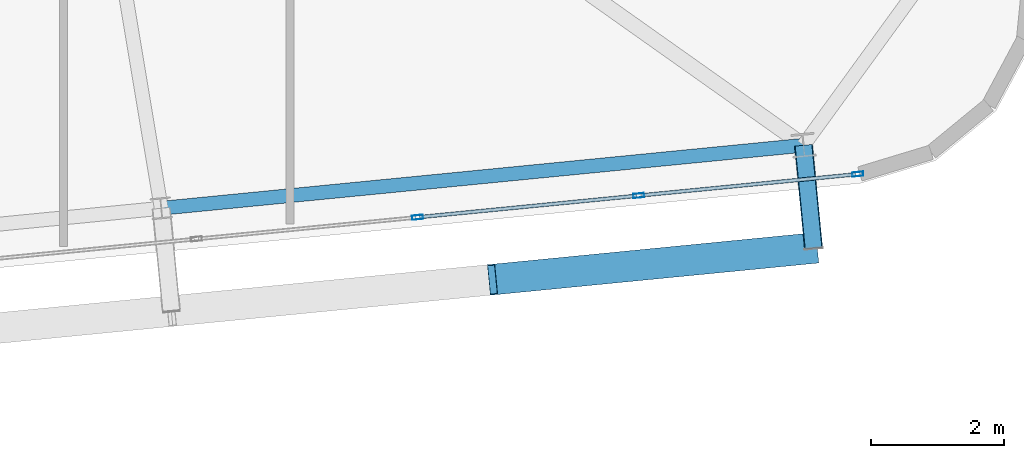
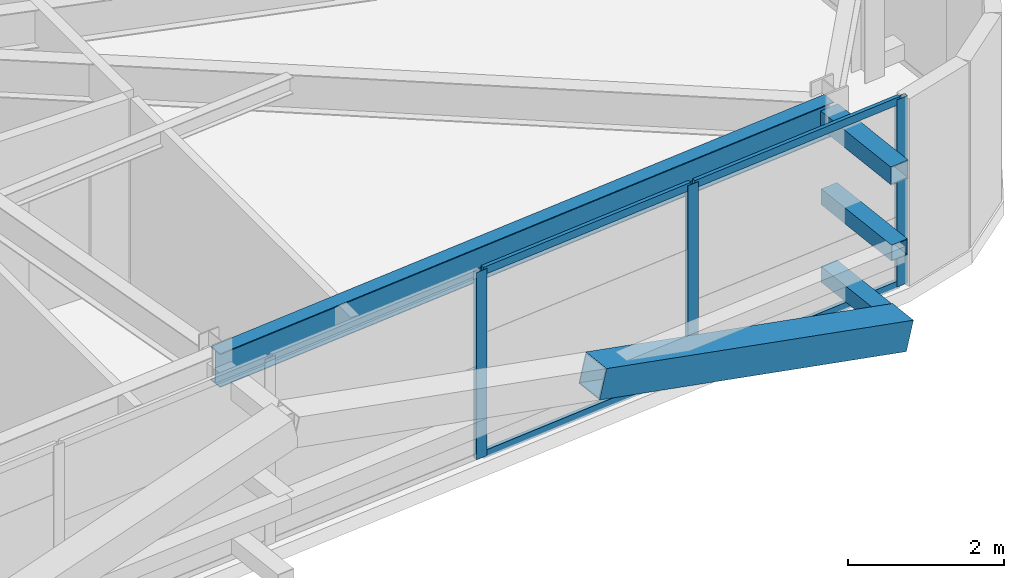
# One storey, part 20 of 52: 11 members, 1 beam, 1 element without a shape of its own.
"""IFC4 building model written with IfcOpenShell, lengths in metres."""

from ifc_helpers import new_model, si_unit, direction, frame, origin, origin_2d, place, context, subcontext, project, spatial, hollow_rectangle, i_section, extrude, source, transform, mapped, material, layer, layer_set, material_profile, profile_set, type_object, element, aggregate, save


model = new_model("IFC4")

# Units and contexts
model_context = context("Model", 3, precision=1e-05, world=origin(), true_north=direction((0.0, 1.0)))
body_context = subcontext(model_context, "Body", "Model", "MODEL_VIEW")
ifc_project = project(units=[si_unit("LENGTHUNIT", "METRE"), si_unit("AREAUNIT", "SQUARE_METRE"), si_unit("VOLUMEUNIT", "CUBIC_METRE"), si_unit("PLANEANGLEUNIT", "RADIAN"), si_unit("MASSUNIT", "GRAM", prefix="KILO")], contexts=[model_context])

# Site, building, storey
site_placement = place(None, origin())
site = spatial("IfcSite", under=ifc_project, at=site_placement, CompositionType="ELEMENT")
building_placement = place(site_placement, origin())
building = spatial("IfcBuilding", under=site, at=building_placement, Name="Taldren Reach Tower", CompositionType="ELEMENT")
storey_placement = place(building_placement, frame((0.0, 0.0, 96.60009765625)))
storey = spatial("IfcBuildingStorey", under=building, at=storey_placement, Name="L29", CompositionType="ELEMENT", Elevation=96.60009765625)

# Members
ifc_material_1 = material(Name="Steel Gr 450 (C450L0)", Category="steel")
ifc_material_profile_1 = material_profile(ifc_material_1, hollow_rectangle(XDim=0.27490234375, YDim=0.27490234375, WallThickness=0.00927734375, at=origin_2d()), Name="275x275x9.3SHS")
ifc_profile_set_1 = profile_set([ifc_material_profile_1], Name="Steel Gr 450 (C450L0)")
member_type_1 = type_object("IfcMemberType", Name="MB-TIE273", PredefinedType="STRUT", material=ifc_profile_set_1)
shared_shape_1 = source(origin(), body_context, "Body", "SweptSolid", [
    extrude(hollow_rectangle(XDim=0.27490234375, YDim=0.27490234375, WallThickness=0.00927734375, at=origin_2d()), origin(), (0.0, 0.0, 1.0), 1.5498046875),
])
member_1_placement = place(storey_placement, frame((63.103271484375, 4.64306640625, 2.64990234375), z_axis=(0.097507178627, -0.995234821595, 0.0), x_axis=(0.995234821595, 0.097507178627, 0.0)))
element("IfcMember", 1, at=member_1_placement, inside=storey, type_object=member_type_1, Name="Exoskeleton diaphragm tie strut B2-S6 L29", PredefinedType="STRUT", context=body_context, shape_type="MappedRepresentation", body=[
    mapped(shared_shape_1, transform((0.0, 0.0, 0.0), scale=1.0)),
])
ifc_material_2 = material(Name="Steel Gr 350 (C350L0)", Category="steel")
ifc_material_profile_2 = material_profile(ifc_material_2, hollow_rectangle(XDim=0.25, YDim=0.25, WallThickness=0.010009765625, at=origin_2d()), Name="250x250x10.0SHS")
ifc_profile_set_2 = profile_set([ifc_material_profile_2], Name="Steel Gr 350 (C350L0)")
member_type_2 = type_object("IfcMemberType", Name="MB-POST250", PredefinedType="POST", material=ifc_profile_set_2)
shared_shape_2 = source(origin(), body_context, "Body", "SweptSolid", [
    extrude(hollow_rectangle(XDim=0.25, YDim=0.25, WallThickness=0.010009765625, at=origin_2d()), origin(), (0.0, 0.0, 1.0), 1.5498046875),
])
for number, where, z_axis, x_axis, name in (
    (2, (63.103271484375, 4.64306640625, 0.219970703125), (0.097507178627, -0.995234821595, 0.0), (0.995234821595, 0.097507178627, 0.0), "Exoskeleton base diaphragm tie strut B2-S6 L29"),
    (3, (63.103271484375, 4.64306640625, 1.434814453125), (0.097507178627, -0.995234821595, 0.0), (0.995234821595, 0.097507178627, 0.0), "Exoskeleton mid-tier diaphragm tie B2-S6 L29"),
):
    element("IfcMember", number, at=place(storey_placement, frame(where, z_axis=z_axis, x_axis=x_axis)), inside=storey, type_object=member_type_2, Name=name, PredefinedType="POST", context=body_context, shape_type="MappedRepresentation", body=[
        mapped(shared_shape_2, transform((0.0, 0.0, 0.0), scale=1.0)),
    ])

# Beam
ifc_material_3 = material(Name="Steel Gr 350 (350PLUS)", Category="steel")
ifc_material_profile_3 = material_profile(ifc_material_3, i_section(OverallWidth=0.208984375, OverallDepth=0.528076171875, WebThickness=0.009521484375, FlangeThickness=0.01318359375, at=origin_2d()), Name="530UB82.0")
ifc_profile_set_3 = profile_set([ifc_material_profile_3], Name="Steel Gr 350 (350PLUS)")
beam_type = type_object("IfcBeamType", Name="SP-UB530B", PredefinedType="SPANDREL", material=ifc_profile_set_3)
shared_shape_3 = source(origin(), body_context, "Body", "SweptSolid", [
    extrude(i_section(OverallWidth=0.208984375, OverallDepth=0.528076171875, WebThickness=0.009521484375, FlangeThickness=0.01318359375, at=origin_2d()), origin(), (0.0, 0.0, 1.0), 9.679931640625),
])
beam_placement = place(storey_placement, frame((53.469482421875, 3.698486328125, 2.666015625), z_axis=(0.995227612658, 0.097580730699, 0.0), x_axis=(-0.097580730699, 0.995227612658, 0.0)))
element("IfcBeam", 4, at=beam_placement, inside=storey, type_object=beam_type, Name="Perimeter spandrel B2 S5-S6 L29", PredefinedType="SPANDREL", context=body_context, shape_type="MappedRepresentation", body=[
    mapped(shared_shape_3, transform((0.0, 0.0, 0.0), scale=1.0)),
])

# Member
ifc_material_profile_4 = material_profile(ifc_material_1, hollow_rectangle(XDim=0.4599609375, YDim=0.4599609375, WallThickness=0.01611328125, at=origin_2d()), Name="460x460x16.0SHS")
ifc_profile_set_4 = profile_set([ifc_material_profile_4], Name="Steel Gr 450 (C450L0)")
member_type_3 = type_object("IfcMemberType", Name="MB-EXO457", PredefinedType="BRACE", material=ifc_profile_set_4)
shared_shape_4 = source(origin(), body_context, "Body", "SweptSolid", [
    extrude(hollow_rectangle(XDim=0.4599609375, YDim=0.4599609375, WallThickness=0.01611328125, at=origin_2d()), origin(), (0.0, 0.0, 1.0), 4.990234375),
])
member_2_placement = place(storey_placement, frame((63.25439453125, 3.1005859375, 0.219970703125), z_axis=(-0.965282554799, -0.094669120301, 0.243448859234), x_axis=(0.097605711627, -0.995225162995, 0.0)))
element("IfcMember", 5, at=member_2_placement, inside=storey, type_object=member_type_3, Name="Exoskeleton Diagrid Brace B2-S5 L29", PredefinedType="BRACE", context=body_context, shape_type="MappedRepresentation", body=[
    mapped(shared_shape_4, transform((0.0, 0.0, 0.0), scale=1.0)),
])

# Curtain wall, members
ifc_material_4 = material(Name="Aluminium and Low-E Glass Unitised System", Category="aluminium")
ifc_layer = layer(ifc_material_4, 0.159912109375)
ifc_layer_set = layer_set([ifc_layer], Name="Aluminium and Low-E Glass Unitised System")
curtain_wall_type = type_object("IfcCurtainWallType", Name="CW-SYS-3", PredefinedType="NOTDEFINED", material=ifc_layer_set)
curtain_wall_placement = place(storey_placement, origin())
curtain_wall = element("IfcCurtainWall", 6, at=curtain_wall_placement, inside=storey, type_object=curtain_wall_type, Name="Unitised curtain wall CW-L29-S", PredefinedType="NOTDEFINED")
ifc_material_5 = material(Name="Anodised Aluminium 6063-T6", Category="aluminium")
ifc_material_profile_5 = material_profile(ifc_material_5, hollow_rectangle(XDim=0.06494140625, YDim=0.1650390625, WallThickness=0.00390625, at=origin_2d()), Name="ALU-165x65x4RHS")
ifc_profile_set_5 = profile_set([ifc_material_profile_5], Name="Anodised Aluminium 6063-T6")
member_type_4 = type_object("IfcMemberType", Name="CW-MUL-165", PredefinedType="MULLION", material=ifc_profile_set_5)
shared_shape_5 = source(origin(), body_context, "Body", "SweptSolid", [
    extrude(hollow_rectangle(XDim=0.06494140625, YDim=0.1650390625, WallThickness=0.00390625, at=origin_2d()), origin(), (0.0, 0.0, 1.0), 2.929931640625),
])
member_3_placement = place(storey_placement, frame((57.314208984375, 3.56298828125, 0.0), z_axis=(0.0, 0.0, 1.0), x_axis=(-0.097582999046, 0.995227390247, 0.0)))
member_3 = element("IfcMember", 7, at=member_3_placement, type_object=member_type_4, Name="CW-3 mullion 14", PredefinedType="MULLION", context=body_context, shape_type="MappedRepresentation", body=[
    mapped(shared_shape_5, transform((0.0, 0.0, 0.0), scale=1.0)),
])
member_4_placement = place(storey_placement, frame((60.631591796875, 3.888427734375, 0.0), z_axis=(0.0, 0.0, 1.0), x_axis=(-0.097582999046, 0.995227390247, 0.0)))
member_4 = element("IfcMember", 8, at=member_4_placement, type_object=member_type_4, Name="CW-3 mullion 15", PredefinedType="MULLION", context=body_context, shape_type="MappedRepresentation", body=[
    mapped(shared_shape_5, transform((0.0, 0.0, 0.0), scale=1.0)),
])
member_5_placement = place(storey_placement, frame((63.916748046875, 4.21044921875, 0.0), z_axis=(0.0, 0.0, 1.0), x_axis=(-0.097582999046, 0.995227390247, 0.0)))
member_5 = element("IfcMember", 9, at=member_5_placement, type_object=member_type_4, Name="CW-3 mullion 16", PredefinedType="MULLION", context=body_context, shape_type="MappedRepresentation", body=[
    mapped(shared_shape_5, transform((0.0, 0.0, 0.0), scale=1.0)),
])
ifc_material_profile_6 = material_profile(ifc_material_5, hollow_rectangle(XDim=0.054931640625, YDim=0.1201171875, WallThickness=0.0029296875, at=origin_2d()), Name="ALU-120x55x3RHS")
ifc_profile_set_6 = profile_set([ifc_material_profile_6], Name="Anodised Aluminium 6063-T6")
member_type_5 = type_object("IfcMemberType", Name="CW-TRN-135", PredefinedType="USERDEFINED", material=ifc_profile_set_6)
shared_shape_6 = source(origin(), body_context, "Body", "SweptSolid", [
    extrude(hollow_rectangle(XDim=0.054931640625, YDim=0.1201171875, WallThickness=0.0029296875, at=origin_2d()), origin(), (0.0, 0.0, 1.0), 3.23583984375),
])
member_6_placement = place(storey_placement, frame((60.6640625, 3.8916015625, 0.02734375), z_axis=(0.995230248826, 0.097553840629, 0.0), x_axis=(-0.097553840629, 0.995230248826, 0.0)))
member_6 = element("IfcMember", 10, at=member_6_placement, type_object=member_type_5, Name="CW-3 transom 15.1", ObjectType="TRANSOM", PredefinedType="USERDEFINED", context=body_context, shape_type="MappedRepresentation", body=[
    mapped(shared_shape_6, transform((0.0, 0.0, 0.0), scale=1.0)),
])
member_7_placement = place(storey_placement, frame((60.6640625, 3.8916015625, 2.90234375), z_axis=(0.995230248826, 0.097553840629, 0.0), x_axis=(-0.097553840629, 0.995230248826, 0.0)))
member_7 = element("IfcMember", 11, at=member_7_placement, type_object=member_type_5, Name="CW-3 transom 15.2", ObjectType="TRANSOM", PredefinedType="USERDEFINED", context=body_context, shape_type="MappedRepresentation", body=[
    mapped(shared_shape_6, transform((0.0, 0.0, 0.0), scale=1.0)),
])
shared_shape_7 = source(origin(), body_context, "Body", "SweptSolid", [
    extrude(hollow_rectangle(XDim=0.054931640625, YDim=0.1201171875, WallThickness=0.0029296875, at=origin_2d()), origin(), (0.0, 0.0, 1.0), 3.268310546875),
])
member_8_placement = place(storey_placement, frame((57.3466796875, 3.566162109375, 0.02734375), z_axis=(0.995222549564, 0.097632355496, 0.0), x_axis=(-0.097632355496, 0.995222549564, 0.0)))
member_8 = element("IfcMember", 12, at=member_8_placement, type_object=member_type_5, Name="CW-3 transom 14.1", ObjectType="TRANSOM", PredefinedType="USERDEFINED", context=body_context, shape_type="MappedRepresentation", body=[
    mapped(shared_shape_7, transform((0.0, 0.0, 0.0), scale=1.0)),
])
member_9_placement = place(storey_placement, frame((57.3466796875, 3.566162109375, 2.90234375), z_axis=(0.995222549564, 0.097632355496, 0.0), x_axis=(-0.097632355496, 0.995222549564, 0.0)))
member_9 = element("IfcMember", 13, at=member_9_placement, type_object=member_type_5, Name="CW-3 transom 14.2", ObjectType="TRANSOM", PredefinedType="USERDEFINED", context=body_context, shape_type="MappedRepresentation", body=[
    mapped(shared_shape_7, transform((0.0, 0.0, 0.0), scale=1.0)),
])
aggregate(curtain_wall, [member_3, member_4, member_5, member_8, member_9, member_6, member_7])

save(model, "model.ifc")
